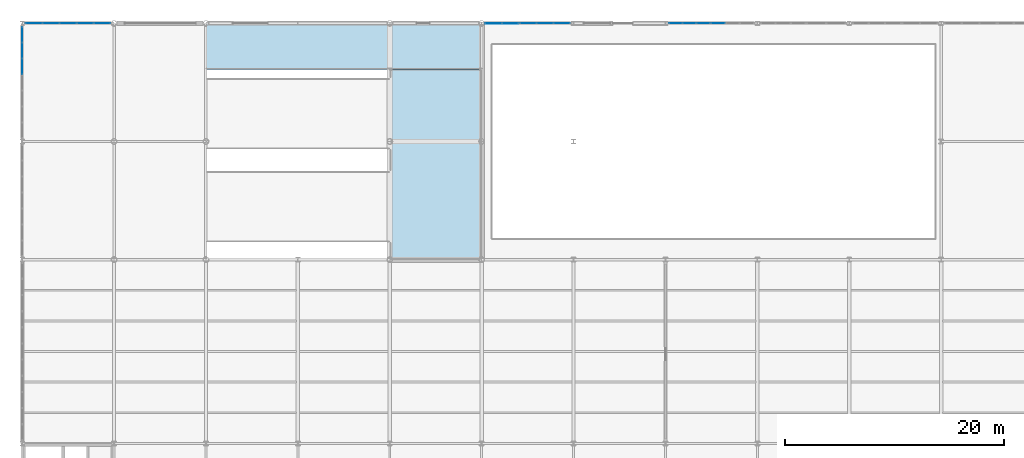
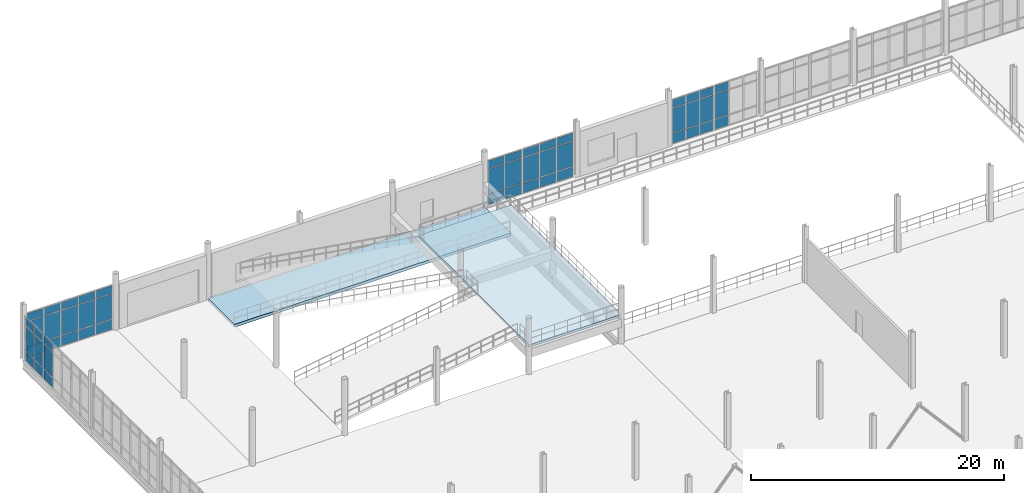
# One storey, part 85 of 111: 51 plates, 2 slabs, 6 elements without a shape of their own.
"""IFC4 building model written with IfcOpenShell, lengths in metres."""

import ifcopenshell
import ifcopenshell.guid

model = None  # the IFC model being written
_history = None  # IfcOwnerHistory: only IFC2X3 demands one
_inside = {}  # id of a spatial element -> (the spatial element, [elements in it])
_under = {}  # id of a project, library or spatial element -> (it, [spatial elements below it])
_declared = {}  # id of a project -> (the project, [libraries it declares])
_typed = {}  # id of a type object -> (the type object, [elements of that type])
_made_of = {}  # id of a material, layer set ... -> (it, [elements and type objects made of it])


def new_model(schema):
    """Start an empty IFC model of exactly this schema.

    Asked for "IFC4X3", IfcOpenShell would pick the latest addendum, in which some entities
    have other attributes; the version numbers below select the first issue.
    IFC2X3 requires an IfcOwnerHistory on every rooted entity: one is made here for all.
    """
    global model, _history
    if schema == "IFC4X3":
        model = ifcopenshell.file(schema_version=(4, 3, 0, 0))
    else:
        model = ifcopenshell.file(schema=schema)
    _inside.clear()
    _under.clear()
    _declared.clear()
    _typed.clear()
    _made_of.clear()
    _history = None
    if model.schema == "IFC2X3":
        org = make("IfcOrganization", Name="unknown")
        user = make(
            "IfcPersonAndOrganization",
            ThePerson=make("IfcPerson", FamilyName="unknown"),
            TheOrganization=org,
        )
        app = make(
            "IfcApplication",
            ApplicationDeveloper=org,
            Version="unknown",
            ApplicationFullName="unknown",
            ApplicationIdentifier="unknown",
        )
        _history = make(
            "IfcOwnerHistory",
            OwningUser=user,
            OwningApplication=app,
            ChangeAction="ADDED",
            CreationDate=0,
        )
    return model


def make(cls, **values):
    """One entity of the class cls with the attributes given. An attribute that is None is left unset."""
    return model.create_entity(
        cls, **{name: value for name, value in values.items() if value is not None}
    )


def rooted(cls, **values):
    """An entity with a GlobalId (a new one), such as an element, a storey or a relation."""
    return make(cls, GlobalId=ifcopenshell.guid.new(), OwnerHistory=_history, **values)


def si_unit(unit_type, name, prefix=None):
    """IfcSIUnit, for example si_unit("LENGTHUNIT", "METRE", prefix="MILLI")."""
    return make("IfcSIUnit", UnitType=unit_type, Prefix=prefix, Name=name)


def assignment(units):
    """IfcUnitAssignment: the units of a project."""
    return None if units is None else make("IfcUnitAssignment", Units=units)


def point(xyz):
    """IfcCartesianPoint."""
    return None if xyz is None else make("IfcCartesianPoint", Coordinates=xyz)


def direction(xyz):
    """IfcDirection."""
    return None if xyz is None else make("IfcDirection", DirectionRatios=xyz)


def frame(location, z_axis=None, x_axis=None):
    """IfcAxis2Placement3D, a coordinate frame: its origin and axes. An axis left out is left unset."""
    return make(
        "IfcAxis2Placement3D",
        Location=point(location),
        Axis=direction(z_axis),
        RefDirection=direction(x_axis),
    )


def frame_2d(location, x_axis=None):
    """IfcAxis2Placement2D, a coordinate frame in the plane: its origin and x axis."""
    return make(
        "IfcAxis2Placement2D", Location=point(location), RefDirection=direction(x_axis)
    )


def origin():
    """The frame at (0, 0, 0) with its axes left unset."""
    return frame((0.0, 0.0, 0.0))


def origin_2d():
    """The frame at (0, 0) in the plane with its x axis left unset."""
    return frame_2d((0.0, 0.0))


def place(relative_to, where):
    """IfcLocalPlacement: puts the frame where relative to a parent placement (None: the world)."""
    return make(
        "IfcLocalPlacement", PlacementRelTo=relative_to, RelativePlacement=where
    )


def context(
    kind, dimensions, precision=None, world=None, true_north=None, identifier=None
):
    """IfcGeometricRepresentationContext, for example the 3D "Model" context."""
    return make(
        "IfcGeometricRepresentationContext",
        ContextIdentifier=identifier,
        ContextType=kind,
        CoordinateSpaceDimension=dimensions,
        Precision=precision,
        WorldCoordinateSystem=world,
        TrueNorth=true_north,
    )


def subcontext(parent, identifier, kind, view, scale=None):
    """IfcGeometricRepresentationSubContext, for example "Body" below "Model"."""
    return make(
        "IfcGeometricRepresentationSubContext",
        ContextIdentifier=identifier,
        ContextType=kind,
        ParentContext=parent,
        TargetScale=scale,
        TargetView=view,
    )


def project(units=None, contexts=None):
    """IfcProject with its units and contexts."""
    return rooted(
        "IfcProject",
        Name="project",
        RepresentationContexts=contexts,
        UnitsInContext=assignment(units),
    )


def spatial(cls, under=None, at=None, **own):
    """A site, building, storey or space (cls), placed at a placement, below another one or the project."""
    s = rooted(cls, ObjectPlacement=at, **own)
    if under is not None:
        _under.setdefault(under.id(), (under, []))[1].append(s)
    return s


def polyline(points):
    """IfcPolyline through the points."""
    return make("IfcPolyline", Points=[point(p) for p in points])


def profile(cls, at=None, kind="AREA", **sizes):
    """A parametric profile (cls). Its sizes go by their IFC names, for example OverallWidth=200.0."""
    return make(cls, ProfileType=kind, Position=at, **sizes)


def rectangle(**sizes):
    """IfcRectangleProfileDef."""
    return profile("IfcRectangleProfileDef", **sizes)


def outline(outer, holes=None, kind="AREA"):
    """IfcArbitraryClosedProfileDef: a profile drawn as a closed curve; with holes, ...WithVoids."""
    if holes is None:
        return make("IfcArbitraryClosedProfileDef", ProfileType=kind, OuterCurve=outer)
    return make(
        "IfcArbitraryProfileDefWithVoids",
        ProfileType=kind,
        OuterCurve=outer,
        InnerCurves=holes,
    )


def extrude(swept, where, along, depth):
    """IfcExtrudedAreaSolid: the profile swept, set in the frame where, extruded along a direction by depth."""
    return make(
        "IfcExtrudedAreaSolid",
        SweptArea=swept,
        Position=where,
        ExtrudedDirection=direction(along),
        Depth=depth,
    )


def shape(context_of_items, identifier, shape_type, items):
    """IfcShapeRepresentation: the items that make up one representation, for example the "Body"."""
    return make(
        "IfcShapeRepresentation",
        ContextOfItems=context_of_items,
        RepresentationIdentifier=identifier,
        RepresentationType=shape_type,
        Items=items,
    )


def material(Name=None, Category=None):
    """IfcMaterial."""
    return make("IfcMaterial", Name=Name, Category=Category)


def layer(
    of_material, thickness, ventilated=None, Name=None, Category=None, Priority=None
):
    """IfcMaterialLayer: one layer of a wall or slab, of a material (None: an air gap)."""
    return make(
        "IfcMaterialLayer",
        Material=of_material,
        LayerThickness=thickness,
        IsVentilated=ventilated,
        Name=Name,
        Category=Category,
        Priority=Priority,
    )


def layer_set(layers, Name=None):
    """IfcMaterialLayerSet."""
    return make("IfcMaterialLayerSet", MaterialLayers=layers, LayerSetName=Name)


def made_of(thing, what):
    """Note that an element or type object is made of a material, layer set ...; save() writes the relation."""
    if what is not None:
        _made_of.setdefault(what.id(), (what, []))[1].append(thing)
    return thing


def type_object(cls, material=None, **own):
    """A type object (cls), such as IfcWallType, which elements share."""
    return made_of(rooted(cls, **own), material)


def element(
    cls,
    number,
    at=None,
    inside=None,
    cuts=None,
    type_object=None,
    material=None,
    context=None,
    identifier="Body",
    shape_type=None,
    held_by="IfcProductDefinitionShape",
    body=None,
    shapes=None,
    **own,
):
    """One element of the class cls, such as IfcWall. Its Tag is "e" and its number.

    at: its placement. inside: the storey or other place that contains it. cuts: it is an
    opening in that element (IfcRelVoidsElement). A single representation is given by context,
    identifier, shape_type and body (its items); several are given by shapes. held_by: the class
    of the entity that holds the representations. save() writes the other relations.
    """
    e = rooted(cls, Tag="e%d" % number, ObjectPlacement=at, **own)
    if body is not None:
        shapes = [shape(context, identifier, shape_type, body)]
    if shapes is not None:
        e.Representation = make(held_by, Representations=shapes)
    if inside is not None:
        _inside.setdefault(inside.id(), (inside, []))[1].append(e)
    if cuts is not None:
        rooted(
            "IfcRelVoidsElement", RelatingBuildingElement=cuts, RelatedOpeningElement=e
        )
    if type_object is not None:
        _typed.setdefault(type_object.id(), (type_object, []))[1].append(e)
    return made_of(e, material)


def aggregate(whole, parts):
    """IfcRelAggregates: a whole, such as a stair, and the parts it consists of."""
    return rooted("IfcRelAggregates", RelatingObject=whole, RelatedObjects=parts)


def save(model, path):
    """Write the relations noted so far, then the file.

    IfcRelAggregates (storeys below a building ...), IfcRelContainedInSpatialStructure (elements
    in a storey), IfcRelDefinesByType, IfcRelAssociatesMaterial and IfcRelDeclares: one each for
    every whole, place, type object, material and project.
    """
    for whole, parts in _under.values():
        aggregate(whole, parts)
    for where, things in _inside.values():
        rooted(
            "IfcRelContainedInSpatialStructure",
            RelatedElements=things,
            RelatingStructure=where,
        )
    for kind, things in _typed.values():
        rooted("IfcRelDefinesByType", RelatedObjects=things, RelatingType=kind)
    for what, things in _made_of.values():
        rooted("IfcRelAssociatesMaterial", RelatedObjects=things, RelatingMaterial=what)
    for by, libraries in _declared.values():
        rooted("IfcRelDeclares", RelatingContext=by, RelatedDefinitions=libraries)
    model.write(path)


model = new_model("IFC4")

# Units and contexts
model_context = context("Model", 3, precision=1e-05, world=origin(), true_north=direction((0.0, 1.0)))
body_context = subcontext(model_context, "Body", "Model", "MODEL_VIEW")
ifc_project = project(units=[si_unit("LENGTHUNIT", "METRE"), si_unit("AREAUNIT", "SQUARE_METRE"), si_unit("VOLUMEUNIT", "CUBIC_METRE"), si_unit("PLANEANGLEUNIT", "RADIAN"), si_unit("MASSUNIT", "GRAM", prefix="KILO"), si_unit("THERMODYNAMICTEMPERATUREUNIT", "KELVIN"), si_unit("POWERUNIT", "WATT")], contexts=[model_context])

# Site, building, storey
site_placement = place(None, origin())
site = spatial("IfcSite", under=ifc_project, at=site_placement, CompositionType="ELEMENT")
building_placement = place(site_placement, origin())
building = spatial("IfcBuilding", under=site, at=building_placement, Name="Tembeka Court Mobility Hub", CompositionType="ELEMENT")
storey_placement = place(building_placement, origin())
storey = spatial("IfcBuildingStorey", under=building, at=storey_placement, Name="L00", CompositionType="ELEMENT", Elevation=0.0)

# Curtain wall, plates
ifc_material_1 = material(Name="Anodised aluminium 6063-T6", Category="aluminium")
ifc_layer_1 = layer(ifc_material_1, 0.159912109375)
ifc_layer_set_1 = layer_set([ifc_layer_1], Name="Anodised aluminium 6063-T6")
curtain_wall_type_1 = type_object("IfcCurtainWallType", Name="CW-SYS01", PredefinedType="USERDEFINED", material=ifc_layer_set_1)
curtain_wall_1_placement = place(storey_placement, origin())
curtain_wall_1 = element("IfcCurtainWall", 1, at=curtain_wall_1_placement, inside=storey, type_object=curtain_wall_type_1, Name="Unitised curtain wall CW01 (CW-L00-011)", ObjectType="UNITISED GLAZING", PredefinedType="USERDEFINED")
ifc_material_2 = material(Name="Laminated solar-control low-E glass", Category="glass")
ifc_layer_2 = layer(ifc_material_2, 0.028076171875)
ifc_layer_set_2 = layer_set([ifc_layer_2], Name="Laminated solar-control low-E glass")
plate_type_1 = type_object("IfcPlateType", Name="PL-CW01", PredefinedType="CURTAIN_PANEL", material=ifc_layer_set_2)
plate_1_placement = place(storey_placement, frame((1.080322265625, 118.800048828125, 0.06494140625), z_axis=(0.0, 0.0, 1.0), x_axis=(1.0, 0.0, 0.0)))
plate_1 = element("IfcPlate", 2, at=plate_1_placement, type_object=plate_type_1, Name="CW01 panel 1.1", PredefinedType="CURTAIN_PANEL", context=body_context, shape_type="SweptSolid", body=[
    extrude(rectangle(XDim=1.470458984375, YDim=0.028076171875, at=origin_2d()), origin(), (0.0, 0.0, 1.0), 0.952392578125),
])
plate_2_placement = place(storey_placement, frame((1.080322265625, 118.800048828125, 1.08251953125), z_axis=(0.0, 0.0, 1.0), x_axis=(1.0, 0.0, 0.0)))
plate_2 = element("IfcPlate", 3, at=plate_2_placement, type_object=plate_type_1, Name="CW01 panel 1.2", PredefinedType="CURTAIN_PANEL", context=body_context, shape_type="SweptSolid", body=[
    extrude(rectangle(XDim=1.470458984375, YDim=0.028076171875, at=origin_2d()), origin(), (0.0, 0.0, 1.0), 2.3701171875),
])
plate_3_placement = place(storey_placement, frame((1.080322265625, 118.800048828125, 3.517578125), z_axis=(0.0, 0.0, 1.0), x_axis=(1.0, 0.0, 0.0)))
plate_3 = element("IfcPlate", 4, at=plate_3_placement, type_object=plate_type_1, Name="CW01 panel 1.3", PredefinedType="CURTAIN_PANEL", context=body_context, shape_type="SweptSolid", body=[
    extrude(rectangle(XDim=1.470458984375, YDim=0.028076171875, at=origin_2d()), origin(), (0.0, 0.0, 1.0), 0.75244140625),
])
plate_4_placement = place(storey_placement, frame((2.632080078125, 118.800048828125, 0.06494140625), z_axis=(0.0, 0.0, 1.0), x_axis=(1.0, 0.0, 0.0)))
plate_4 = element("IfcPlate", 5, at=plate_4_placement, type_object=plate_type_1, Name="CW01 panel 2.1", PredefinedType="CURTAIN_PANEL", context=body_context, shape_type="SweptSolid", body=[
    extrude(rectangle(XDim=1.5029296875, YDim=0.028076171875, at=origin_2d()), origin(), (0.0, 0.0, 1.0), 0.952392578125),
])
plate_5_placement = place(storey_placement, frame((2.632080078125, 118.800048828125, 1.08251953125), z_axis=(0.0, 0.0, 1.0), x_axis=(1.0, 0.0, 0.0)))
plate_5 = element("IfcPlate", 6, at=plate_5_placement, type_object=plate_type_1, Name="CW01 panel 2.2", PredefinedType="CURTAIN_PANEL", context=body_context, shape_type="SweptSolid", body=[
    extrude(rectangle(XDim=1.5029296875, YDim=0.028076171875, at=origin_2d()), origin(), (0.0, 0.0, 1.0), 2.3701171875),
])
plate_6_placement = place(storey_placement, frame((2.632080078125, 118.800048828125, 3.517578125), z_axis=(0.0, 0.0, 1.0), x_axis=(1.0, 0.0, 0.0)))
plate_6 = element("IfcPlate", 7, at=plate_6_placement, type_object=plate_type_1, Name="CW01 panel 2.3", PredefinedType="CURTAIN_PANEL", context=body_context, shape_type="SweptSolid", body=[
    extrude(rectangle(XDim=1.5029296875, YDim=0.028076171875, at=origin_2d()), origin(), (0.0, 0.0, 1.0), 0.75244140625),
])
plate_7_placement = place(storey_placement, frame((4.199951171875, 118.800048828125, 0.06494140625), z_axis=(0.0, 0.0, 1.0), x_axis=(1.0, 0.0, 0.0)))
plate_7 = element("IfcPlate", 8, at=plate_7_placement, type_object=plate_type_1, Name="CW01 panel 3.1", PredefinedType="CURTAIN_PANEL", context=body_context, shape_type="SweptSolid", body=[
    extrude(rectangle(XDim=1.5029296875, YDim=0.028076171875, at=origin_2d()), origin(), (0.0, 0.0, 1.0), 0.952392578125),
])
plate_8_placement = place(storey_placement, frame((4.199951171875, 118.800048828125, 1.08251953125), z_axis=(0.0, 0.0, 1.0), x_axis=(1.0, 0.0, 0.0)))
plate_8 = element("IfcPlate", 9, at=plate_8_placement, type_object=plate_type_1, Name="CW01 panel 3.2", PredefinedType="CURTAIN_PANEL", context=body_context, shape_type="SweptSolid", body=[
    extrude(rectangle(XDim=1.5029296875, YDim=0.028076171875, at=origin_2d()), origin(), (0.0, 0.0, 1.0), 2.3701171875),
])
plate_9_placement = place(storey_placement, frame((4.199951171875, 118.800048828125, 3.517578125), z_axis=(0.0, 0.0, 1.0), x_axis=(1.0, 0.0, 0.0)))
plate_9 = element("IfcPlate", 10, at=plate_9_placement, type_object=plate_type_1, Name="CW01 panel 3.3", PredefinedType="CURTAIN_PANEL", context=body_context, shape_type="SweptSolid", body=[
    extrude(rectangle(XDim=1.5029296875, YDim=0.028076171875, at=origin_2d()), origin(), (0.0, 0.0, 1.0), 0.75244140625),
])
plate_10_placement = place(storey_placement, frame((5.76806640625, 118.800048828125, 0.06494140625), z_axis=(0.0, 0.0, 1.0), x_axis=(1.0, 0.0, 0.0)))
plate_10 = element("IfcPlate", 11, at=plate_10_placement, type_object=plate_type_1, Name="CW01 panel 4.1", PredefinedType="CURTAIN_PANEL", context=body_context, shape_type="SweptSolid", body=[
    extrude(rectangle(XDim=1.5029296875, YDim=0.028076171875, at=origin_2d()), origin(), (0.0, 0.0, 1.0), 0.952392578125),
])
plate_11_placement = place(storey_placement, frame((5.76806640625, 118.800048828125, 1.08251953125), z_axis=(0.0, 0.0, 1.0), x_axis=(1.0, 0.0, 0.0)))
plate_11 = element("IfcPlate", 12, at=plate_11_placement, type_object=plate_type_1, Name="CW01 panel 4.2", PredefinedType="CURTAIN_PANEL", context=body_context, shape_type="SweptSolid", body=[
    extrude(rectangle(XDim=1.5029296875, YDim=0.028076171875, at=origin_2d()), origin(), (0.0, 0.0, 1.0), 2.3701171875),
])
plate_12_placement = place(storey_placement, frame((5.76806640625, 118.800048828125, 3.517578125), z_axis=(0.0, 0.0, 1.0), x_axis=(1.0, 0.0, 0.0)))
plate_12 = element("IfcPlate", 13, at=plate_12_placement, type_object=plate_type_1, Name="CW01 panel 4.3", PredefinedType="CURTAIN_PANEL", context=body_context, shape_type="SweptSolid", body=[
    extrude(rectangle(XDim=1.5029296875, YDim=0.028076171875, at=origin_2d()), origin(), (0.0, 0.0, 1.0), 0.75244140625),
])
plate_13_placement = place(storey_placement, frame((7.31982421875, 118.800048828125, 0.06494140625), z_axis=(0.0, 0.0, 1.0), x_axis=(1.0, 0.0, 0.0)))
plate_13 = element("IfcPlate", 14, at=plate_13_placement, type_object=plate_type_1, Name="CW01 panel 5.1", PredefinedType="CURTAIN_PANEL", context=body_context, shape_type="SweptSolid", body=[
    extrude(rectangle(XDim=1.470458984375, YDim=0.028076171875, at=origin_2d()), origin(), (0.0, 0.0, 1.0), 0.952392578125),
])
plate_14_placement = place(storey_placement, frame((7.31982421875, 118.800048828125, 1.08251953125), z_axis=(0.0, 0.0, 1.0), x_axis=(1.0, 0.0, 0.0)))
plate_14 = element("IfcPlate", 15, at=plate_14_placement, type_object=plate_type_1, Name="CW01 panel 5.2", PredefinedType="CURTAIN_PANEL", context=body_context, shape_type="SweptSolid", body=[
    extrude(rectangle(XDim=1.470458984375, YDim=0.028076171875, at=origin_2d()), origin(), (0.0, 0.0, 1.0), 2.3701171875),
])
plate_15_placement = place(storey_placement, frame((7.31982421875, 118.800048828125, 3.517578125), z_axis=(0.0, 0.0, 1.0), x_axis=(1.0, 0.0, 0.0)))
plate_15 = element("IfcPlate", 16, at=plate_15_placement, type_object=plate_type_1, Name="CW01 panel 5.3", PredefinedType="CURTAIN_PANEL", context=body_context, shape_type="SweptSolid", body=[
    extrude(rectangle(XDim=1.470458984375, YDim=0.028076171875, at=origin_2d()), origin(), (0.0, 0.0, 1.0), 0.75244140625),
])
aggregate(curtain_wall_1, [plate_1, plate_2, plate_3, plate_4, plate_5, plate_6, plate_7, plate_8, plate_9, plate_10, plate_11, plate_12, plate_13, plate_14, plate_15])

ifc_layer_3 = layer(ifc_material_1, 0.159912109375)
ifc_layer_set_3 = layer_set([ifc_layer_3], Name="Anodised aluminium 6063-T6")
curtain_wall_type_2 = type_object("IfcCurtainWallType", Name="CW-SYS11", PredefinedType="USERDEFINED", material=ifc_layer_set_3)
curtain_wall_2_placement = place(storey_placement, origin())
curtain_wall_2 = element("IfcCurtainWall", 17, at=curtain_wall_2_placement, inside=storey, type_object=curtain_wall_type_2, Name="Unitised curtain wall CW11 (CW-L00-013)", ObjectType="UNITISED GLAZING", PredefinedType="USERDEFINED")
plate_16_placement = place(storey_placement, frame((46.25634765625, 118.800048828125, 0.06494140625), z_axis=(0.0, 0.0, 1.0), x_axis=(1.0, 0.0, 0.0)))
plate_16 = element("IfcPlate", 18, at=plate_16_placement, type_object=plate_type_1, Name="CW11 panel 1.1", PredefinedType="CURTAIN_PANEL", context=body_context, shape_type="SweptSolid", body=[
    extrude(rectangle(XDim=1.45458984375, YDim=0.028076171875, at=origin_2d()), origin(), (0.0, 0.0, 1.0), 0.952392578125),
])
plate_17_placement = place(storey_placement, frame((46.25634765625, 118.800048828125, 1.08251953125), z_axis=(0.0, 0.0, 1.0), x_axis=(1.0, 0.0, 0.0)))
plate_17 = element("IfcPlate", 19, at=plate_17_placement, type_object=plate_type_1, Name="CW11 panel 1.2", PredefinedType="CURTAIN_PANEL", context=body_context, shape_type="SweptSolid", body=[
    extrude(rectangle(XDim=1.45458984375, YDim=0.028076171875, at=origin_2d()), origin(), (0.0, 0.0, 1.0), 2.3701171875),
])
plate_18_placement = place(storey_placement, frame((46.25634765625, 118.800048828125, 3.517578125), z_axis=(0.0, 0.0, 1.0), x_axis=(1.0, 0.0, 0.0)))
plate_18 = element("IfcPlate", 20, at=plate_18_placement, type_object=plate_type_1, Name="CW11 panel 1.3", PredefinedType="CURTAIN_PANEL", context=body_context, shape_type="SweptSolid", body=[
    extrude(rectangle(XDim=1.45458984375, YDim=0.028076171875, at=origin_2d()), origin(), (0.0, 0.0, 1.0), 0.75244140625),
])
plate_19_placement = place(storey_placement, frame((47.7919921875, 118.800048828125, 0.06494140625), z_axis=(0.0, 0.0, 1.0), x_axis=(1.0, 0.0, 0.0)))
plate_19 = element("IfcPlate", 21, at=plate_19_placement, type_object=plate_type_1, Name="CW11 panel 2.1", PredefinedType="CURTAIN_PANEL", context=body_context, shape_type="SweptSolid", body=[
    extrude(rectangle(XDim=1.487060546875, YDim=0.028076171875, at=origin_2d()), origin(), (0.0, 0.0, 1.0), 0.952392578125),
])
plate_20_placement = place(storey_placement, frame((47.7919921875, 118.800048828125, 1.08251953125), z_axis=(0.0, 0.0, 1.0), x_axis=(1.0, 0.0, 0.0)))
plate_20 = element("IfcPlate", 22, at=plate_20_placement, type_object=plate_type_1, Name="CW11 panel 2.2", PredefinedType="CURTAIN_PANEL", context=body_context, shape_type="SweptSolid", body=[
    extrude(rectangle(XDim=1.487060546875, YDim=0.028076171875, at=origin_2d()), origin(), (0.0, 0.0, 1.0), 2.3701171875),
])
plate_21_placement = place(storey_placement, frame((47.7919921875, 118.800048828125, 3.517578125), z_axis=(0.0, 0.0, 1.0), x_axis=(1.0, 0.0, 0.0)))
plate_21 = element("IfcPlate", 23, at=plate_21_placement, type_object=plate_type_1, Name="CW11 panel 2.3", PredefinedType="CURTAIN_PANEL", context=body_context, shape_type="SweptSolid", body=[
    extrude(rectangle(XDim=1.487060546875, YDim=0.028076171875, at=origin_2d()), origin(), (0.0, 0.0, 1.0), 0.75244140625),
])
plate_22_placement = place(storey_placement, frame((49.32763671875, 118.800048828125, 0.06494140625), z_axis=(0.0, 0.0, 1.0), x_axis=(1.0, 0.0, 0.0)))
plate_22 = element("IfcPlate", 24, at=plate_22_placement, type_object=plate_type_1, Name="CW11 panel 3.1", PredefinedType="CURTAIN_PANEL", context=body_context, shape_type="SweptSolid", body=[
    extrude(rectangle(XDim=1.45458984375, YDim=0.028076171875, at=origin_2d()), origin(), (0.0, 0.0, 1.0), 0.952392578125),
])
plate_23_placement = place(storey_placement, frame((49.32763671875, 118.800048828125, 1.08251953125), z_axis=(0.0, 0.0, 1.0), x_axis=(1.0, 0.0, 0.0)))
plate_23 = element("IfcPlate", 25, at=plate_23_placement, type_object=plate_type_1, Name="CW11 panel 3.2", PredefinedType="CURTAIN_PANEL", context=body_context, shape_type="SweptSolid", body=[
    extrude(rectangle(XDim=1.45458984375, YDim=0.028076171875, at=origin_2d()), origin(), (0.0, 0.0, 1.0), 2.3701171875),
])
plate_24_placement = place(storey_placement, frame((49.32763671875, 118.800048828125, 3.517578125), z_axis=(0.0, 0.0, 1.0), x_axis=(1.0, 0.0, 0.0)))
plate_24 = element("IfcPlate", 26, at=plate_24_placement, type_object=plate_type_1, Name="CW11 panel 3.3", PredefinedType="CURTAIN_PANEL", context=body_context, shape_type="SweptSolid", body=[
    extrude(rectangle(XDim=1.45458984375, YDim=0.028076171875, at=origin_2d()), origin(), (0.0, 0.0, 1.0), 0.75244140625),
])
aggregate(curtain_wall_2, [plate_16, plate_17, plate_18, plate_19, plate_20, plate_21, plate_22, plate_23, plate_24])

ifc_layer_4 = layer(ifc_material_1, 0.159912109375)
ifc_layer_set_4 = layer_set([ifc_layer_4], Name="Anodised aluminium 6063-T6")
curtain_wall_type_3 = type_object("IfcCurtainWallType", Name="CW-SYS12", PredefinedType="USERDEFINED", material=ifc_layer_set_4)
curtain_wall_3_placement = place(storey_placement, origin())
curtain_wall_3 = element("IfcCurtainWall", 27, at=curtain_wall_3_placement, inside=storey, type_object=curtain_wall_type_3, Name="Unitised curtain wall CW12 (CW-L00-014)", ObjectType="UNITISED GLAZING", PredefinedType="USERDEFINED")
plate_25_placement = place(storey_placement, frame((59.732177734375, 118.800048828125, 0.06494140625), z_axis=(0.0, 0.0, 1.0), x_axis=(1.0, 0.0, 0.0)))
plate_25 = element("IfcPlate", 28, at=plate_25_placement, type_object=plate_type_1, Name="CW12 panel 1.1", PredefinedType="CURTAIN_PANEL", context=body_context, shape_type="SweptSolid", body=[
    extrude(rectangle(XDim=1.174560546875, YDim=0.028076171875, at=origin_2d()), origin(), (0.0, 0.0, 1.0), 0.952392578125),
])
plate_26_placement = place(storey_placement, frame((59.732177734375, 118.800048828125, 1.08251953125), z_axis=(0.0, 0.0, 1.0), x_axis=(1.0, 0.0, 0.0)))
plate_26 = element("IfcPlate", 29, at=plate_26_placement, type_object=plate_type_1, Name="CW12 panel 1.2", PredefinedType="CURTAIN_PANEL", context=body_context, shape_type="SweptSolid", body=[
    extrude(rectangle(XDim=1.174560546875, YDim=0.028076171875, at=origin_2d()), origin(), (0.0, 0.0, 1.0), 2.3701171875),
])
plate_27_placement = place(storey_placement, frame((59.732177734375, 118.800048828125, 3.517578125), z_axis=(0.0, 0.0, 1.0), x_axis=(1.0, 0.0, 0.0)))
plate_27 = element("IfcPlate", 30, at=plate_27_placement, type_object=plate_type_1, Name="CW12 panel 1.3", PredefinedType="CURTAIN_PANEL", context=body_context, shape_type="SweptSolid", body=[
    extrude(rectangle(XDim=1.174560546875, YDim=0.028076171875, at=origin_2d()), origin(), (0.0, 0.0, 1.0), 0.75244140625),
])
plate_28_placement = place(storey_placement, frame((60.988037109375, 118.800048828125, 0.06494140625), z_axis=(0.0, 0.0, 1.0), x_axis=(1.0, 0.0, 0.0)))
plate_28 = element("IfcPlate", 31, at=plate_28_placement, type_object=plate_type_1, Name="CW12 panel 2.1", PredefinedType="CURTAIN_PANEL", context=body_context, shape_type="SweptSolid", body=[
    extrude(rectangle(XDim=1.20703125, YDim=0.028076171875, at=origin_2d()), origin(), (0.0, 0.0, 1.0), 0.952392578125),
])
plate_29_placement = place(storey_placement, frame((60.988037109375, 118.800048828125, 1.08251953125), z_axis=(0.0, 0.0, 1.0), x_axis=(1.0, 0.0, 0.0)))
plate_29 = element("IfcPlate", 32, at=plate_29_placement, type_object=plate_type_1, Name="CW12 panel 2.2", PredefinedType="CURTAIN_PANEL", context=body_context, shape_type="SweptSolid", body=[
    extrude(rectangle(XDim=1.20703125, YDim=0.028076171875, at=origin_2d()), origin(), (0.0, 0.0, 1.0), 2.3701171875),
])
plate_30_placement = place(storey_placement, frame((60.988037109375, 118.800048828125, 3.517578125), z_axis=(0.0, 0.0, 1.0), x_axis=(1.0, 0.0, 0.0)))
plate_30 = element("IfcPlate", 33, at=plate_30_placement, type_object=plate_type_1, Name="CW12 panel 2.3", PredefinedType="CURTAIN_PANEL", context=body_context, shape_type="SweptSolid", body=[
    extrude(rectangle(XDim=1.20703125, YDim=0.028076171875, at=origin_2d()), origin(), (0.0, 0.0, 1.0), 0.75244140625),
])
plate_31_placement = place(storey_placement, frame((62.24365234375, 118.800048828125, 0.06494140625), z_axis=(0.0, 0.0, 1.0), x_axis=(1.0, 0.0, 0.0)))
plate_31 = element("IfcPlate", 34, at=plate_31_placement, type_object=plate_type_1, Name="CW12 panel 3.1", PredefinedType="CURTAIN_PANEL", context=body_context, shape_type="SweptSolid", body=[
    extrude(rectangle(XDim=1.174560546875, YDim=0.028076171875, at=origin_2d()), origin(), (0.0, 0.0, 1.0), 0.952392578125),
])
plate_32_placement = place(storey_placement, frame((62.24365234375, 118.800048828125, 1.08251953125), z_axis=(0.0, 0.0, 1.0), x_axis=(1.0, 0.0, 0.0)))
plate_32 = element("IfcPlate", 35, at=plate_32_placement, type_object=plate_type_1, Name="CW12 panel 3.2", PredefinedType="CURTAIN_PANEL", context=body_context, shape_type="SweptSolid", body=[
    extrude(rectangle(XDim=1.174560546875, YDim=0.028076171875, at=origin_2d()), origin(), (0.0, 0.0, 1.0), 2.3701171875),
])
plate_33_placement = place(storey_placement, frame((62.24365234375, 118.800048828125, 3.517578125), z_axis=(0.0, 0.0, 1.0), x_axis=(1.0, 0.0, 0.0)))
plate_33 = element("IfcPlate", 36, at=plate_33_placement, type_object=plate_type_1, Name="CW12 panel 3.3", PredefinedType="CURTAIN_PANEL", context=body_context, shape_type="SweptSolid", body=[
    extrude(rectangle(XDim=1.174560546875, YDim=0.028076171875, at=origin_2d()), origin(), (0.0, 0.0, 1.0), 0.75244140625),
])
aggregate(curtain_wall_3, [plate_25, plate_26, plate_27, plate_28, plate_29, plate_30, plate_31, plate_32, plate_33])

ifc_layer_5 = layer(ifc_material_1, 0.159912109375)
ifc_layer_set_5 = layer_set([ifc_layer_5], Name="Anodised aluminium 6063-T6")
curtain_wall_type_4 = type_object("IfcCurtainWallType", Name="CW-SYS13", PredefinedType="USERDEFINED", material=ifc_layer_set_5)
curtain_wall_4_placement = place(storey_placement, origin())
curtain_wall_4 = element("IfcCurtainWall", 37, at=curtain_wall_4_placement, inside=storey, type_object=curtain_wall_type_4, Name="Unitised curtain wall CW13 (CW-L00-015)", ObjectType="UNITISED GLAZING", PredefinedType="USERDEFINED")
plate_34_placement = place(storey_placement, frame((63.6162109375, 118.800048828125, 0.06494140625), z_axis=(0.0, 0.0, 1.0), x_axis=(1.0, 0.0, 0.0)))
plate_34 = element("IfcPlate", 38, at=plate_34_placement, type_object=plate_type_1, Name="CW13 panel 1.1", PredefinedType="CURTAIN_PANEL", context=body_context, shape_type="SweptSolid", body=[
    extrude(rectangle(XDim=1.23046875, YDim=0.028076171875, at=origin_2d()), origin(), (0.0, 0.0, 1.0), 0.952392578125),
])
plate_35_placement = place(storey_placement, frame((63.6162109375, 118.800048828125, 1.08251953125), z_axis=(0.0, 0.0, 1.0), x_axis=(1.0, 0.0, 0.0)))
plate_35 = element("IfcPlate", 39, at=plate_35_placement, type_object=plate_type_1, Name="CW13 panel 1.2", PredefinedType="CURTAIN_PANEL", context=body_context, shape_type="SweptSolid", body=[
    extrude(rectangle(XDim=1.23046875, YDim=0.028076171875, at=origin_2d()), origin(), (0.0, 0.0, 1.0), 2.3701171875),
])
plate_36_placement = place(storey_placement, frame((63.6162109375, 118.800048828125, 3.517578125), z_axis=(0.0, 0.0, 1.0), x_axis=(1.0, 0.0, 0.0)))
plate_36 = element("IfcPlate", 40, at=plate_36_placement, type_object=plate_type_1, Name="CW13 panel 1.3", PredefinedType="CURTAIN_PANEL", context=body_context, shape_type="SweptSolid", body=[
    extrude(rectangle(XDim=1.23046875, YDim=0.028076171875, at=origin_2d()), origin(), (0.0, 0.0, 1.0), 0.75244140625),
])
aggregate(curtain_wall_4, [plate_34, plate_35, plate_36])

ifc_layer_6 = layer(ifc_material_1, 0.159912109375)
ifc_layer_set_6 = layer_set([ifc_layer_6], Name="Anodised aluminium 6063-T6")
curtain_wall_type_5 = type_object("IfcCurtainWallType", Name="CW-SYS18", PredefinedType="USERDEFINED", material=ifc_layer_set_6)
curtain_wall_5_placement = place(storey_placement, origin())
curtain_wall_5 = element("IfcCurtainWall", 41, at=curtain_wall_5_placement, inside=storey, type_object=curtain_wall_type_5, Name="Unitised curtain wall CW18 (CW-L00-033)", ObjectType="UNITISED GLAZING", PredefinedType="USERDEFINED")
plate_37_placement = place(storey_placement, frame((0.0, 114.86279296875, 0.06494140625), z_axis=(0.0, 0.0, 1.0), x_axis=(0.0, 1.0, 0.0)))
plate_37 = element("IfcPlate", 42, at=plate_37_placement, type_object=plate_type_1, Name="CW18 panel 5.1", PredefinedType="CURTAIN_PANEL", context=body_context, shape_type="SweptSolid", body=[
    extrude(rectangle(XDim=1.39794921875, YDim=0.028076171875, at=origin_2d()), origin(), (0.0, 0.0, 1.0), 0.952392578125),
])
plate_38_placement = place(storey_placement, frame((0.0, 114.86279296875, 1.08251953125), z_axis=(0.0, 0.0, 1.0), x_axis=(0.0, 1.0, 0.0)))
plate_38 = element("IfcPlate", 43, at=plate_38_placement, type_object=plate_type_1, Name="CW18 panel 5.2", PredefinedType="CURTAIN_PANEL", context=body_context, shape_type="SweptSolid", body=[
    extrude(rectangle(XDim=1.39794921875, YDim=0.028076171875, at=origin_2d()), origin(), (0.0, 0.0, 1.0), 2.3701171875),
])
plate_39_placement = place(storey_placement, frame((0.0, 114.86279296875, 3.517578125), z_axis=(0.0, 0.0, 1.0), x_axis=(0.0, 1.0, 0.0)))
plate_39 = element("IfcPlate", 44, at=plate_39_placement, type_object=plate_type_1, Name="CW18 panel 5.3", PredefinedType="CURTAIN_PANEL", context=body_context, shape_type="SweptSolid", body=[
    extrude(rectangle(XDim=1.39794921875, YDim=0.028076171875, at=origin_2d()), origin(), (0.0, 0.0, 1.0), 0.75244140625),
])
plate_40_placement = place(storey_placement, frame((0.0, 116.32568359375, 0.06494140625), z_axis=(0.0, 0.0, 1.0), x_axis=(0.0, 1.0, 0.0)))
plate_40 = element("IfcPlate", 45, at=plate_40_placement, type_object=plate_type_1, Name="CW18 panel 6.1", PredefinedType="CURTAIN_PANEL", context=body_context, shape_type="SweptSolid", body=[
    extrude(rectangle(XDim=1.39794921875, YDim=0.028076171875, at=origin_2d()), origin(), (0.0, 0.0, 1.0), 0.952392578125),
])
plate_41_placement = place(storey_placement, frame((0.0, 116.32568359375, 1.08251953125), z_axis=(0.0, 0.0, 1.0), x_axis=(0.0, 1.0, 0.0)))
plate_41 = element("IfcPlate", 46, at=plate_41_placement, type_object=plate_type_1, Name="CW18 panel 6.2", PredefinedType="CURTAIN_PANEL", context=body_context, shape_type="SweptSolid", body=[
    extrude(rectangle(XDim=1.39794921875, YDim=0.028076171875, at=origin_2d()), origin(), (0.0, 0.0, 1.0), 2.3701171875),
])
plate_42_placement = place(storey_placement, frame((0.0, 116.32568359375, 3.517578125), z_axis=(0.0, 0.0, 1.0), x_axis=(0.0, 1.0, 0.0)))
plate_42 = element("IfcPlate", 47, at=plate_42_placement, type_object=plate_type_1, Name="CW18 panel 6.3", PredefinedType="CURTAIN_PANEL", context=body_context, shape_type="SweptSolid", body=[
    extrude(rectangle(XDim=1.39794921875, YDim=0.028076171875, at=origin_2d()), origin(), (0.0, 0.0, 1.0), 0.75244140625),
])
plate_43_placement = place(storey_placement, frame((0.0, 117.772216796875, 0.06494140625), z_axis=(0.0, 0.0, 1.0), x_axis=(0.0, 1.0, 0.0)))
plate_43 = element("IfcPlate", 48, at=plate_43_placement, type_object=plate_type_1, Name="CW18 panel 7.1", PredefinedType="CURTAIN_PANEL", context=body_context, shape_type="SweptSolid", body=[
    extrude(rectangle(XDim=1.365478515625, YDim=0.028076171875, at=origin_2d()), origin(), (0.0, 0.0, 1.0), 0.952392578125),
])
plate_44_placement = place(storey_placement, frame((0.0, 117.772216796875, 1.08251953125), z_axis=(0.0, 0.0, 1.0), x_axis=(0.0, 1.0, 0.0)))
plate_44 = element("IfcPlate", 49, at=plate_44_placement, type_object=plate_type_1, Name="CW18 panel 7.2", PredefinedType="CURTAIN_PANEL", context=body_context, shape_type="SweptSolid", body=[
    extrude(rectangle(XDim=1.365478515625, YDim=0.028076171875, at=origin_2d()), origin(), (0.0, 0.0, 1.0), 2.3701171875),
])
plate_45_placement = place(storey_placement, frame((0.0, 117.772216796875, 3.517578125), z_axis=(0.0, 0.0, 1.0), x_axis=(0.0, 1.0, 0.0)))
plate_45 = element("IfcPlate", 50, at=plate_45_placement, type_object=plate_type_1, Name="CW18 panel 7.3", PredefinedType="CURTAIN_PANEL", context=body_context, shape_type="SweptSolid", body=[
    extrude(rectangle(XDim=1.365478515625, YDim=0.028076171875, at=origin_2d()), origin(), (0.0, 0.0, 1.0), 0.75244140625),
])
aggregate(curtain_wall_5, [plate_37, plate_38, plate_39, plate_40, plate_41, plate_42, plate_43, plate_44, plate_45])

ifc_layer_7 = layer(ifc_material_1, 0.159912109375)
ifc_layer_set_7 = layer_set([ifc_layer_7], Name="Anodised aluminium 6063-T6")
curtain_wall_type_6 = type_object("IfcCurtainWallType", Name="CW-SYS10", PredefinedType="USERDEFINED", material=ifc_layer_set_7)
curtain_wall_6_placement = place(storey_placement, origin())
curtain_wall_6 = element("IfcCurtainWall", 51, at=curtain_wall_6_placement, inside=storey, type_object=curtain_wall_type_6, Name="Unitised curtain wall CW10 (CW-L00-012)", ObjectType="UNITISED GLAZING", PredefinedType="USERDEFINED")
ifc_material_3 = material(Name="Insulated aluminium spandrel panel", Category="aluminium")
ifc_layer_8 = layer(ifc_material_3, 0.052001953125)
ifc_layer_set_8 = layer_set([ifc_layer_8], Name="Insulated aluminium spandrel panel")
plate_type_2 = type_object("IfcPlateType", Name="PL-CW02", PredefinedType="CURTAIN_PANEL", material=ifc_layer_set_8)
plate_46_placement = place(storey_placement, frame((43.082275390625, 118.800048828125, 0.06494140625), z_axis=(0.0, 0.0, 1.0), x_axis=(1.0, 0.0, 0.0)))
plate_46 = element("IfcPlate", 52, at=plate_46_placement, type_object=plate_type_2, Name="CW10 panel 1.1", PredefinedType="CURTAIN_PANEL", context=body_context, shape_type="SweptSolid", body=[
    extrude(rectangle(XDim=1.474609375, YDim=0.052001953125, at=origin_2d()), origin(), (0.0, 0.0, 1.0), 0.952392578125),
])
plate_47_placement = place(storey_placement, frame((43.082275390625, 118.800048828125, 1.08251953125), z_axis=(0.0, 0.0, 1.0), x_axis=(1.0, 0.0, 0.0)))
plate_47 = element("IfcPlate", 53, at=plate_47_placement, type_object=plate_type_2, Name="CW10 panel 1.2", PredefinedType="CURTAIN_PANEL", context=body_context, shape_type="SweptSolid", body=[
    extrude(rectangle(XDim=1.474609375, YDim=0.052001953125, at=origin_2d()), origin(), (0.0, 0.0, 1.0), 2.3701171875),
])
plate_48_placement = place(storey_placement, frame((43.082275390625, 118.800048828125, 3.517578125), z_axis=(0.0, 0.0, 1.0), x_axis=(1.0, 0.0, 0.0)))
plate_48 = element("IfcPlate", 54, at=plate_48_placement, type_object=plate_type_2, Name="CW10 panel 1.3", PredefinedType="CURTAIN_PANEL", context=body_context, shape_type="SweptSolid", body=[
    extrude(rectangle(XDim=1.474609375, YDim=0.052001953125, at=origin_2d()), origin(), (0.0, 0.0, 1.0), 0.75244140625),
])
plate_49_placement = place(storey_placement, frame((44.621826171875, 118.800048828125, 0.06494140625), z_axis=(0.0, 0.0, 1.0), x_axis=(1.0, 0.0, 0.0)))
plate_49 = element("IfcPlate", 55, at=plate_49_placement, type_object=plate_type_2, Name="CW10 panel 2.1", PredefinedType="CURTAIN_PANEL", context=body_context, shape_type="SweptSolid", body=[
    extrude(rectangle(XDim=1.474609375, YDim=0.052001953125, at=origin_2d()), origin(), (0.0, 0.0, 1.0), 0.952392578125),
])
plate_50_placement = place(storey_placement, frame((44.621826171875, 118.800048828125, 1.08251953125), z_axis=(0.0, 0.0, 1.0), x_axis=(1.0, 0.0, 0.0)))
plate_50 = element("IfcPlate", 56, at=plate_50_placement, type_object=plate_type_2, Name="CW10 panel 2.2", PredefinedType="CURTAIN_PANEL", context=body_context, shape_type="SweptSolid", body=[
    extrude(rectangle(XDim=1.474609375, YDim=0.052001953125, at=origin_2d()), origin(), (0.0, 0.0, 1.0), 2.3701171875),
])
plate_51_placement = place(storey_placement, frame((44.621826171875, 118.800048828125, 3.517578125), z_axis=(0.0, 0.0, 1.0), x_axis=(1.0, 0.0, 0.0)))
plate_51 = element("IfcPlate", 57, at=plate_51_placement, type_object=plate_type_2, Name="CW10 panel 2.3", PredefinedType="CURTAIN_PANEL", context=body_context, shape_type="SweptSolid", body=[
    extrude(rectangle(XDim=1.474609375, YDim=0.052001953125, at=origin_2d()), origin(), (0.0, 0.0, 1.0), 0.75244140625),
])
aggregate(curtain_wall_6, [plate_46, plate_47, plate_48, plate_49, plate_50, plate_51])

# Slabs
ifc_material_4 = material(Name="Concrete C40/50", Category="concrete")
ifc_layer_9 = layer(ifc_material_4, 0.280029296875)
ifc_layer_set_9 = layer_set([ifc_layer_9], Name="Concrete C40/50")
slab_type_1 = type_object("IfcSlabType", Name="SL-FL01", PredefinedType="FLOOR", material=ifc_layer_set_9)
slab_1_placement = place(storey_placement, frame((0.0, 0.0, -0.280029296875)))
element("IfcSlab", 58, at=slab_1_placement, inside=storey, type_object=slab_type_1, Name="L00 North ramp portal threshold slab", PredefinedType="FLOOR", context=body_context, shape_type="SweptSolid", body=[
    extrude(outline(polyline([(16.800048828125, 114.60009765625), (42.0, 114.60009765625), (42.0, 118.800048828125), (16.800048828125, 118.800048828125), (16.800048828125, 114.60009765625)])), origin(), (0.0, 0.0, 1.0), 0.280029296875),
])
ifc_layer_10 = layer(ifc_material_4, 0.199951171875)
ifc_layer_set_10 = layer_set([ifc_layer_10], Name="Concrete C40/50")
slab_type_2 = type_object("IfcSlabType", Name="SL-LD01", PredefinedType="LANDING", material=ifc_layer_set_10)
slab_2_placement = place(storey_placement, frame((0.0, 0.0, 2.449951171875)))
element("IfcSlab", 59, at=slab_2_placement, inside=storey, type_object=slab_type_2, Name="Car park vehicle ramp North R1 L00 half landing", PredefinedType="LANDING", context=body_context, shape_type="SweptSolid", body=[
    extrude(outline(polyline([(33.60009765625, 97.199951171875), (42.0, 97.199951171875), (42.0, 114.60009765625), (33.60009765625, 114.60009765625), (33.60009765625, 97.199951171875)])), origin(), (0.0, 0.0, 1.0), 0.25),
])

save(model, "model.ifc")
